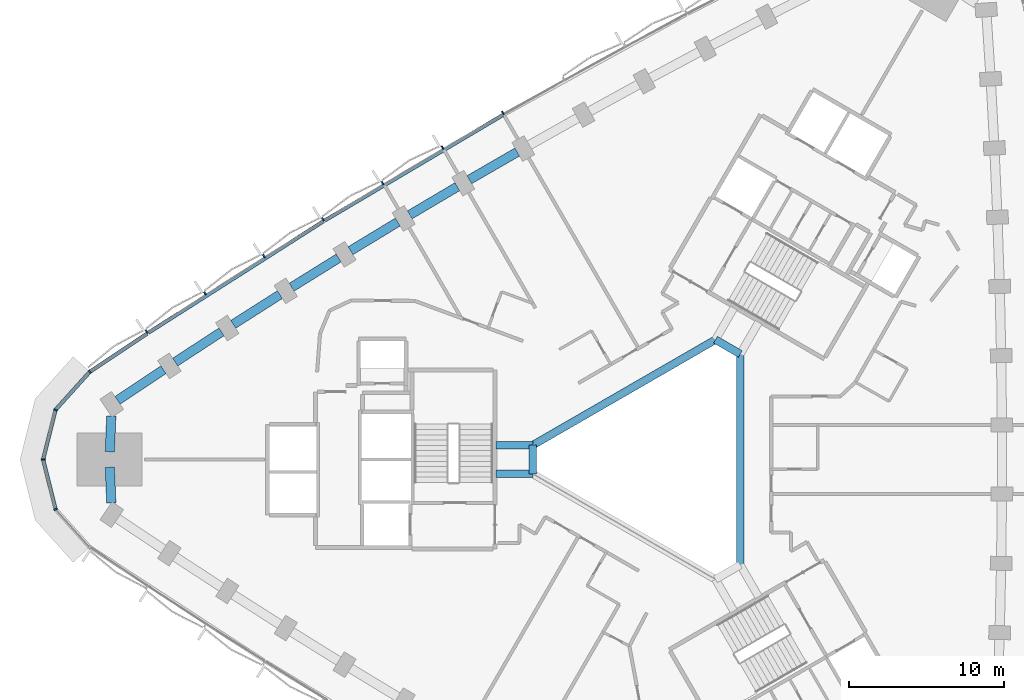
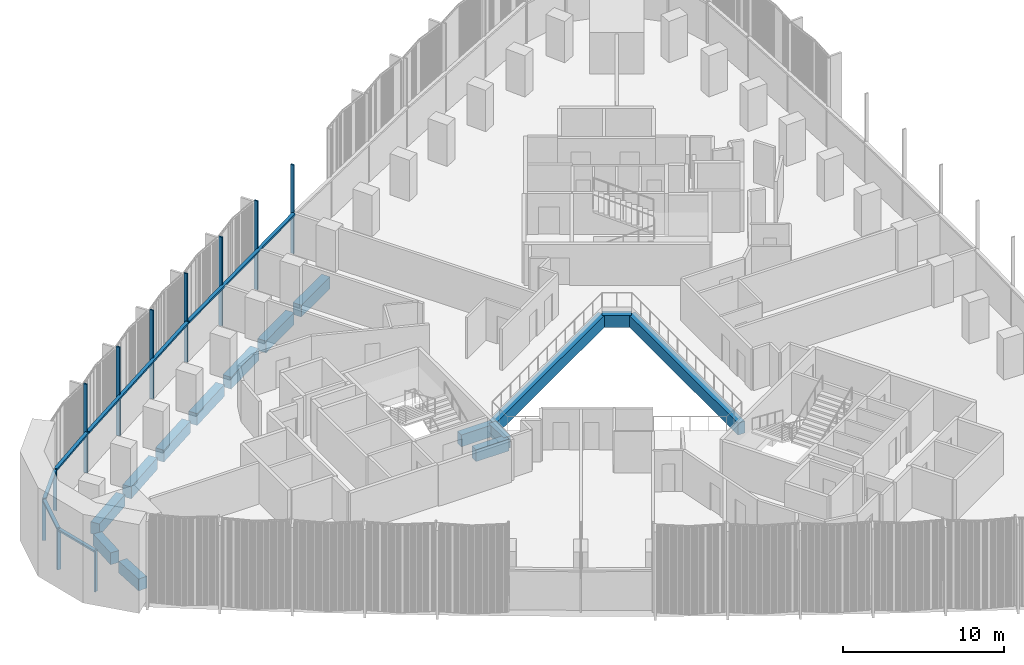
# One storey, part 4 of 16: 17 members, 15 beams, 1 element without a shape of its own.
"""IFC4 building model written with IfcOpenShell, lengths in metres."""

from ifc_helpers import new_model, si_unit, direction, frame, origin, origin_2d, place, context, subcontext, project, spatial, rectangle, extrude, material, material_profile, profile_set, type_object, element, aggregate, save


model = new_model("IFC4")

# Units and contexts
model_context = context("Model", 3, precision=1e-05, world=origin(), true_north=direction((0.0, 1.0)))
body_context = subcontext(model_context, "Body", "Model", "MODEL_VIEW")
ifc_project = project(units=[si_unit("LENGTHUNIT", "METRE"), si_unit("AREAUNIT", "SQUARE_METRE"), si_unit("VOLUMEUNIT", "CUBIC_METRE"), si_unit("PLANEANGLEUNIT", "RADIAN"), si_unit("MASSUNIT", "GRAM", prefix="KILO")], contexts=[model_context])

# Site, building, storey
site_placement = place(None, origin())
site = spatial("IfcSite", under=ifc_project, at=site_placement, CompositionType="ELEMENT")
building_placement = place(site_placement, origin())
building = spatial("IfcBuilding", under=site, at=building_placement, Name="Tamra Quay Hotel Tower", CompositionType="ELEMENT")
storey_placement = place(building_placement, frame((0.0, 0.0, 45.800048828125)))
storey = spatial("IfcBuildingStorey", under=building, at=storey_placement, Name="L09", CompositionType="ELEMENT", Elevation=45.800048828125)

# Beams
ifc_material_1 = material(Name="Concrete M60", Category="concrete")
ifc_material_profile_1 = material_profile(ifc_material_1, rectangle(XDim=0.5, YDim=0.89990234375, at=origin_2d()), Name="ATRIUM EDGE BEAM RC 500x900")
ifc_profile_set_1 = profile_set([ifc_material_profile_1], Name="Concrete M60")
beam_type_1 = type_object("IfcBeamType", Name="ATRIUM EDGE BEAM RC 500x900", PredefinedType="BEAM", material=ifc_profile_set_1)
beam_1_placement = place(storey_placement, frame((5.0, 6.812744140625, -0.925048828125), z_axis=(0.0, -1.0, 0.0), x_axis=(1.0, 0.0, 0.0)))
element("IfcBeam", 1, at=beam_1_placement, inside=storey, type_object=beam_type_1, Name="BM-AB0-L09", PredefinedType="BEAM", context=body_context, shape_type="SweptSolid", body=[
    extrude(rectangle(XDim=0.5, YDim=0.89990234375, at=origin_2d()), origin(), (0.0, 0.0, 1.0), 13.62548828125),
])
beam_2_placement = place(storey_placement, frame((-8.39990234375, -0.923828125, -0.925048828125), z_axis=(0.0, 1.0, 0.0), x_axis=(-1.0, 0.0, 0.0)))
element("IfcBeam", 2, at=beam_2_placement, inside=storey, type_object=beam_type_1, Name="BM-AB3-L09", PredefinedType="BEAM", context=body_context, shape_type="SweptSolid", body=[
    extrude(rectangle(XDim=0.5, YDim=0.89990234375, at=origin_2d()), origin(), (0.0, 0.0, 1.0), 1.84765625),
])
beam_3_placement = place(storey_placement, frame((-8.39990234375, 0.923828125, -0.925048828125), z_axis=(0.866021471679, 0.500006810544, 0.0), x_axis=(-0.500006810544, 0.866021471679, 0.0)))
element("IfcBeam", 3, at=beam_3_placement, inside=storey, type_object=beam_type_1, Name="BM-AB4-L09", PredefinedType="BEAM", context=body_context, shape_type="SweptSolid", body=[
    extrude(rectangle(XDim=0.5, YDim=0.89990234375, at=origin_2d()), origin(), (0.0, 0.0, 1.0), 13.625244140625),
])
beam_4_placement = place(storey_placement, frame((3.39990234375, 7.736572265625, -0.925048828125), z_axis=(0.86602275259, -0.500004591975, 0.0), x_axis=(0.500004591975, 0.86602275259, 0.0)))
element("IfcBeam", 4, at=beam_4_placement, inside=storey, type_object=beam_type_1, Name="BM-AB5-L09", PredefinedType="BEAM", context=body_context, shape_type="SweptSolid", body=[
    extrude(rectangle(XDim=0.5, YDim=0.89990234375, at=origin_2d()), origin(), (0.0, 0.0, 1.0), 1.84765625),
])
ifc_material_profile_2 = material_profile(ifc_material_1, rectangle(XDim=0.5, YDim=0.89990234375, at=origin_2d()), Name="ATRIUM TIE BEAM RC 500x900")
ifc_profile_set_2 = profile_set([ifc_material_profile_2], Name="Concrete M60")
beam_type_2 = type_object("IfcBeamType", Name="ATRIUM TIE BEAM RC 500x900", PredefinedType="BEAM", material=ifc_profile_set_2)
for number, where, z_axis, x_axis, name in (
    (5, (-8.39990234375, -0.923828125, -0.925048828125), (-1.0, 0.0, 0.0), (0.0, -1.0, 0.0), "BM-TIE-3-L09"),
    (6, (-8.39990234375, 0.923828125, -0.925048828125), (-1.0, 0.0, 0.0), (0.0, -1.0, 0.0), "BM-TIE-4-L09"),
):
    element("IfcBeam", number, at=place(storey_placement, frame(where, z_axis=z_axis, x_axis=x_axis)), inside=storey, type_object=beam_type_2, Name=name, PredefinedType="BEAM", context=body_context, shape_type="SweptSolid", body=[
        extrude(rectangle(XDim=0.5, YDim=0.89990234375, at=origin_2d()), origin(), (0.0, 0.0, 1.0), 2.3623046875),
    ])

# Curtain wall, members
ifc_material_2 = material(Name="Aluminium 6063 anodised dark grey", Category="aluminium")
curtain_wall_type = type_object("IfcCurtainWallType", Name="CW2 CURTAIN WALL", PredefinedType="NOTDEFINED", material=ifc_material_2)
curtain_wall_placement = place(storey_placement, origin())
curtain_wall = element("IfcCurtainWall", 7, at=curtain_wall_placement, inside=storey, type_object=curtain_wall_type, Name="CW2 north-west face L09", PredefinedType="NOTDEFINED")
ifc_material_profile_3 = material_profile(ifc_material_2, rectangle(XDim=0.239990234375, YDim=0.10009765625, at=origin_2d()), Name="MULLION 100X240")
ifc_profile_set_3 = profile_set([ifc_material_profile_3], Name="Aluminium 6063 anodised dark grey")
member_type_1 = type_object("IfcMemberType", Name="MULLION CW2 Z1", PredefinedType="MULLION", material=ifc_profile_set_3)
member_1_placement = place(storey_placement, frame((-10.3271484375, 22.3857421875, 0.0), z_axis=(0.0, 0.0, 1.0), x_axis=(-0.495300542226, 0.868721688961, 0.0)))
member_1 = element("IfcMember", 8, at=member_1_placement, type_object=member_type_1, Name="CW2 mullion L09.NW.7", PredefinedType="MULLION", context=body_context, shape_type="SweptSolid", body=[
    extrude(rectangle(XDim=0.239990234375, YDim=0.10009765625, at=origin_2d()), origin(), (0.0, 0.0, 1.0), 6.724853515625),
])
member_2_placement = place(storey_placement, frame((-14.222900390625, 20.136474609375, 0.0), z_axis=(0.0, 0.0, 1.0), x_axis=(-0.504684780346, 0.863303696556, 0.0)))
member_2 = element("IfcMember", 9, at=member_2_placement, type_object=member_type_1, Name="CW2 mullion L09.NW.8", PredefinedType="MULLION", context=body_context, shape_type="SweptSolid", body=[
    extrude(rectangle(XDim=0.239990234375, YDim=0.10009765625, at=origin_2d()), origin(), (0.0, 0.0, 1.0), 6.724853515625),
])
member_3_placement = place(storey_placement, frame((-18.09423828125, 17.844970703125, 0.0), z_axis=(0.0, 0.0, 1.0), x_axis=(-0.514004208519, 0.857787662318, 0.0)))
member_3 = element("IfcMember", 10, at=member_3_placement, type_object=member_type_1, Name="CW2 mullion L09.NW.9", PredefinedType="MULLION", context=body_context, shape_type="SweptSolid", body=[
    extrude(rectangle(XDim=0.239990234375, YDim=0.10009765625, at=origin_2d()), origin(), (0.0, 0.0, 1.0), 6.724853515625),
])
member_4_placement = place(storey_placement, frame((-21.94189453125, 15.510986328125, 0.0), z_axis=(0.0, 0.0, 1.0), x_axis=(-0.523257107809, 0.852174864173, 0.0)))
member_4 = element("IfcMember", 11, at=member_4_placement, type_object=member_type_1, Name="CW2 mullion L09.NW.10", PredefinedType="MULLION", context=body_context, shape_type="SweptSolid", body=[
    extrude(rectangle(XDim=0.239990234375, YDim=0.10009765625, at=origin_2d()), origin(), (0.0, 0.0, 1.0), 6.724853515625),
])
member_5_placement = place(storey_placement, frame((-25.7626953125, 13.136474609375, 0.0), z_axis=(0.0, 0.0, 1.0), x_axis=(-0.532446769932, 0.846463488397, 0.0)))
member_5 = element("IfcMember", 12, at=member_5_placement, type_object=member_type_1, Name="CW2 mullion L09.NW.11", PredefinedType="MULLION", context=body_context, shape_type="SweptSolid", body=[
    extrude(rectangle(XDim=0.239990234375, YDim=0.10009765625, at=origin_2d()), origin(), (0.0, 0.0, 1.0), 6.724853515625),
])
member_6_placement = place(storey_placement, frame((-29.5576171875, 10.720458984375, 0.0), z_axis=(0.0, 0.0, 1.0), x_axis=(-0.541560699791, 0.840661649204, 0.0)))
member_6 = element("IfcMember", 13, at=member_6_placement, type_object=member_type_1, Name="CW2 mullion L09.NW.12", PredefinedType="MULLION", context=body_context, shape_type="SweptSolid", body=[
    extrude(rectangle(XDim=0.239990234375, YDim=0.10009765625, at=origin_2d()), origin(), (0.0, 0.0, 1.0), 6.724853515625),
])
member_7_placement = place(storey_placement, frame((-33.32763671875, 8.262939453125, 0.0), z_axis=(0.0, 0.0, 1.0), x_axis=(-0.550591210923, 0.834775010679, 0.0)))
member_7 = element("IfcMember", 14, at=member_7_placement, type_object=member_type_1, Name="CW2 mullion L09.NW.13", PredefinedType="MULLION", context=body_context, shape_type="SweptSolid", body=[
    extrude(rectangle(XDim=0.239990234375, YDim=0.10009765625, at=origin_2d()), origin(), (0.0, 0.0, 1.0), 6.724853515625),
])
member_8_placement = place(storey_placement, frame((-37.001708984375, 5.6669921875, 0.0), z_axis=(0.0, 0.0, 1.0), x_axis=(-0.654196739281, 0.756324418695, 0.0)))
member_8 = element("IfcMember", 15, at=member_8_placement, type_object=member_type_1, Name="CW2 mullion L09.NW.14", PredefinedType="MULLION", context=body_context, shape_type="SweptSolid", body=[
    extrude(rectangle(XDim=0.239990234375, YDim=0.10009765625, at=origin_2d()), origin(), (0.0, 0.0, 1.0), 3.125),
])
member_9_placement = place(storey_placement, frame((-39.214599609375, 3.209228515625, 0.0), z_axis=(0.0, 0.0, 1.0), x_axis=(-0.882955345235, 0.469456982396, 0.0)))
member_9 = element("IfcMember", 16, at=member_9_placement, type_object=member_type_1, Name="CW2 mullion L09.NW.15", PredefinedType="MULLION", context=body_context, shape_type="SweptSolid", body=[
    extrude(rectangle(XDim=0.239990234375, YDim=0.10009765625, at=origin_2d()), origin(), (0.0, 0.0, 1.0), 3.125),
])
member_10_placement = place(storey_placement, frame((-40.0146484375, 0.0, 0.0), z_axis=(0.0, 0.0, 1.0), x_axis=(-1.0, 0.0, 0.0)))
member_10 = element("IfcMember", 17, at=member_10_placement, type_object=member_type_1, Name="CW2 mullion L09.NW.16", PredefinedType="MULLION", context=body_context, shape_type="SweptSolid", body=[
    extrude(rectangle(XDim=0.239990234375, YDim=0.10009765625, at=origin_2d()), origin(), (0.0, 0.0, 1.0), 3.125),
])
member_11_placement = place(storey_placement, frame((-39.214599609375, -3.209228515625, 0.0), z_axis=(0.0, 0.0, 1.0), x_axis=(-0.882955345235, -0.469456982396, 0.0)))
member_11 = element("IfcMember", 18, at=member_11_placement, type_object=member_type_1, Name="CW2 mullion L09.NW.17", PredefinedType="MULLION", context=body_context, shape_type="SweptSolid", body=[
    extrude(rectangle(XDim=0.239990234375, YDim=0.10009765625, at=origin_2d()), origin(), (0.0, 0.0, 1.0), 3.125),
])

# Beams
ifc_material_profile_4 = material_profile(ifc_material_1, rectangle(XDim=0.60009765625, YDim=0.89990234375, at=origin_2d()), Name="SPANDREL BEAM RC 600x900")
ifc_profile_set_4 = profile_set([ifc_material_profile_4], Name="Concrete M60")
beam_type_3 = type_object("IfcBeamType", Name="SPANDREL BEAM RC 600x900", PredefinedType="SPANDREL", material=ifc_profile_set_4)
beam_5_placement = place(storey_placement, frame((-9.401123046875, 19.853759765625, -0.925048828125), z_axis=(-0.866017069707, -0.500014434768, 0.0), x_axis=(0.500014434768, -0.866017069707, 0.0)))
element("IfcBeam", 19, at=beam_5_placement, inside=storey, type_object=beam_type_3, Name="BM-SP1-021-L09", PredefinedType="SPANDREL", context=body_context, shape_type="SweptSolid", body=[
    extrude(rectangle(XDim=0.60009765625, YDim=0.89990234375, at=origin_2d()), origin(), (0.0, 0.0, 1.0), 3.57080078125),
])
beam_6_placement = place(storey_placement, frame((-13.270263671875, 17.6142578125, -0.925048828125), z_axis=(-0.860524689034, -0.509408735264, 0.0), x_axis=(0.509408735264, -0.860524689034, 0.0)))
element("IfcBeam", 20, at=beam_6_placement, inside=storey, type_object=beam_type_3, Name="BM-SP1-022-L09", PredefinedType="SPANDREL", context=body_context, shape_type="SweptSolid", body=[
    extrude(rectangle(XDim=0.60009765625, YDim=0.89990234375, at=origin_2d()), origin(), (0.0, 0.0, 1.0), 3.570556640625),
])
beam_7_placement = place(storey_placement, frame((-17.114990234375, 15.3330078125, -0.925048828125), z_axis=(-0.854966252085, -0.518683629775, 0.0), x_axis=(0.518683629775, -0.854966252085, 0.0)))
element("IfcBeam", 21, at=beam_7_placement, inside=storey, type_object=beam_type_3, Name="BM-SP1-023-L09", PredefinedType="SPANDREL", context=body_context, shape_type="SweptSolid", body=[
    extrude(rectangle(XDim=0.60009765625, YDim=0.89990234375, at=origin_2d()), origin(), (0.0, 0.0, 1.0), 3.56982421875),
])
beam_8_placement = place(storey_placement, frame((-20.93408203125, 13.010498046875, -0.925048828125), z_axis=(-0.849320953317, -0.527876802158, 0.0), x_axis=(0.527876802158, -0.849320953317, 0.0)))
element("IfcBeam", 22, at=beam_8_placement, inside=storey, type_object=beam_type_3, Name="BM-SP1-024-L09", PredefinedType="SPANDREL", context=body_context, shape_type="SweptSolid", body=[
    extrude(rectangle(XDim=0.60009765625, YDim=0.89990234375, at=origin_2d()), origin(), (0.0, 0.0, 1.0), 3.570556640625),
])
beam_9_placement = place(storey_placement, frame((-24.728515625, 10.646484375, -0.925048828125), z_axis=(-0.843593906333, -0.53698167678, 0.0), x_axis=(0.53698167678, -0.843593906333, 0.0)))
element("IfcBeam", 23, at=beam_9_placement, inside=storey, type_object=beam_type_3, Name="BM-SP1-025-L09", PredefinedType="SPANDREL", context=body_context, shape_type="SweptSolid", body=[
    extrude(rectangle(XDim=0.60009765625, YDim=0.89990234375, at=origin_2d()), origin(), (0.0, 0.0, 1.0), 3.5703125),
])
beam_10_placement = place(storey_placement, frame((-28.4970703125, 8.24169921875, -0.925048828125), z_axis=(-0.837739819239, -0.546069588296, 0.0), x_axis=(0.546069588296, -0.837739819239, 0.0)))
element("IfcBeam", 24, at=beam_10_placement, inside=storey, type_object=beam_type_3, Name="BM-SP1-026-L09", PredefinedType="SPANDREL", context=body_context, shape_type="SweptSolid", body=[
    extrude(rectangle(XDim=0.60009765625, YDim=0.89990234375, at=origin_2d()), origin(), (0.0, 0.0, 1.0), 3.570068359375),
])
beam_11_placement = place(storey_placement, frame((-32.239013671875, 5.796630859375, -0.925048828125), z_axis=(-0.831818807601, -0.555047269448, 0.0), x_axis=(0.555047269448, -0.831818807601, 0.0)))
element("IfcBeam", 25, at=beam_11_placement, inside=storey, type_object=beam_type_3, Name="BM-SP1-027-L09", PredefinedType="SPANDREL", context=body_context, shape_type="SweptSolid", body=[
    extrude(rectangle(XDim=0.60009765625, YDim=0.89990234375, at=origin_2d()), origin(), (0.0, 0.0, 1.0), 3.57080078125),
])
for number, where, z_axis, x_axis, name in (
    (26, (-35.614501953125, 2.805908203125, -0.925048828125), (-0.040711272802, -0.999170952474, 0.0), (0.999170952474, -0.040711272802, 0.0), "BM-SP1-028-L09"),
    (27, (-35.70849609375, -0.4990234375, -0.925048828125), (0.040711272802, -0.999170952474, 0.0), (0.999170952474, 0.040711272802, 0.0), "BM-SP1-029-L09"),
):
    element("IfcBeam", number, at=place(storey_placement, frame(where, z_axis=z_axis, x_axis=x_axis)), inside=storey, type_object=beam_type_3, Name=name, PredefinedType="SPANDREL", context=body_context, shape_type="SweptSolid", body=[
        extrude(rectangle(XDim=0.60009765625, YDim=0.89990234375, at=origin_2d()), origin(), (0.0, 0.0, 1.0), 2.308837890625),
    ])

# Member
ifc_material_profile_5 = material_profile(ifc_material_2, rectangle(XDim=0.239990234375, YDim=0.139892578125, at=origin_2d()), Name="TRANSOM 240X140")
ifc_profile_set_5 = profile_set([ifc_material_profile_5], Name="Aluminium 6063 anodised dark grey")
member_type_2 = type_object("IfcMemberType", Name="TRANSOM CW2 Z1", PredefinedType="USERDEFINED", material=ifc_profile_set_5)
member_12_placement = place(storey_placement, frame((-10.31103515625, 22.25634765625, 3.054931640625), z_axis=(-0.860556136509, -0.509355608506, 0.0), x_axis=(0.509355608506, -0.860556136509, 0.0)))
member_12 = element("IfcMember", 28, at=member_12_placement, type_object=member_type_2, Name="CW2 transom L09.NW.7", ObjectType="TRANSOM", PredefinedType="USERDEFINED", context=body_context, shape_type="SweptSolid", body=[
    extrude(rectangle(XDim=0.239990234375, YDim=0.139892578125, at=origin_2d()), origin(), (0.0, 0.0, 1.0), 13.39306640625),
])

member_13_placement = place(storey_placement, frame((-21.921630859375, 15.38232421875, 3.054931640625), z_axis=(-0.843573654677, -0.537013490646, 0.0), x_axis=(0.537013490646, -0.843573654677, 0.0)))
member_13 = element("IfcMember", 29, at=member_13_placement, type_object=member_type_2, Name="CW2 transom L09.NW.10", ObjectType="TRANSOM", PredefinedType="USERDEFINED", context=body_context, shape_type="SweptSolid", body=[
    extrude(rectangle(XDim=0.239990234375, YDim=0.139892578125, at=origin_2d()), origin(), (0.0, 0.0, 1.0), 13.392822265625),
])

member_14_placement = place(storey_placement, frame((-33.302978515625, 8.135009765625, 3.054931640625), z_axis=(-0.831819549422, -0.555046157719, 0.0), x_axis=(0.555046157719, -0.831819549422, 0.0)))
member_14 = element("IfcMember", 30, at=member_14_placement, type_object=member_type_2, Name="CW2 transom L09.NW.13", ObjectType="TRANSOM", PredefinedType="USERDEFINED", context=body_context, shape_type="SweptSolid", body=[
    extrude(rectangle(XDim=0.239990234375, YDim=0.139892578125, at=origin_2d()), origin(), (0.0, 0.0, 1.0), 4.396484375),
])

member_15_placement = place(storey_placement, frame((-37.03515625, 5.6298828125, 3.054931640625), z_axis=(-0.669103504087, -0.743169227577, 0.0), x_axis=(0.743169227577, -0.669103504087, 0.0)))
member_15 = element("IfcMember", 31, at=member_15_placement, type_object=member_type_2, Name="CW2 transom L09.NW.14", ObjectType="TRANSOM", PredefinedType="USERDEFINED", context=body_context, shape_type="SweptSolid", body=[
    extrude(rectangle(XDim=0.239990234375, YDim=0.139892578125, at=origin_2d()), origin(), (0.0, 0.0, 1.0), 3.207275390625),
])

member_16_placement = place(storey_placement, frame((-39.226806640625, 3.16064453125, 3.054931640625), z_axis=(-0.241908705512, -0.970299014839, 0.0), x_axis=(0.970299014839, -0.241908705512, 0.0)))
member_16 = element("IfcMember", 32, at=member_16_placement, type_object=member_type_2, Name="CW2 transom L09.NW.15", ObjectType="TRANSOM", PredefinedType="USERDEFINED", context=body_context, shape_type="SweptSolid", body=[
    extrude(rectangle(XDim=0.239990234375, YDim=0.139892578125, at=origin_2d()), origin(), (0.0, 0.0, 1.0), 3.207275390625),
])

member_17_placement = place(storey_placement, frame((-40.002685546875, -0.048583984375, 3.054931640625), z_axis=(0.241908705512, -0.970299014839, 0.0), x_axis=(0.970299014839, 0.241908705512, 0.0)))
member_17 = element("IfcMember", 33, at=member_17_placement, type_object=member_type_2, Name="CW2 transom L09.NW.16", ObjectType="TRANSOM", PredefinedType="USERDEFINED", context=body_context, shape_type="SweptSolid", body=[
    extrude(rectangle(XDim=0.239990234375, YDim=0.139892578125, at=origin_2d()), origin(), (0.0, 0.0, 1.0), 3.207275390625),
])

aggregate(curtain_wall, [member_1, member_12, member_2, member_3, member_4, member_13, member_5, member_6, member_7, member_14, member_8, member_15, member_9, member_16, member_10, member_17, member_11])

save(model, "model.ifc")
